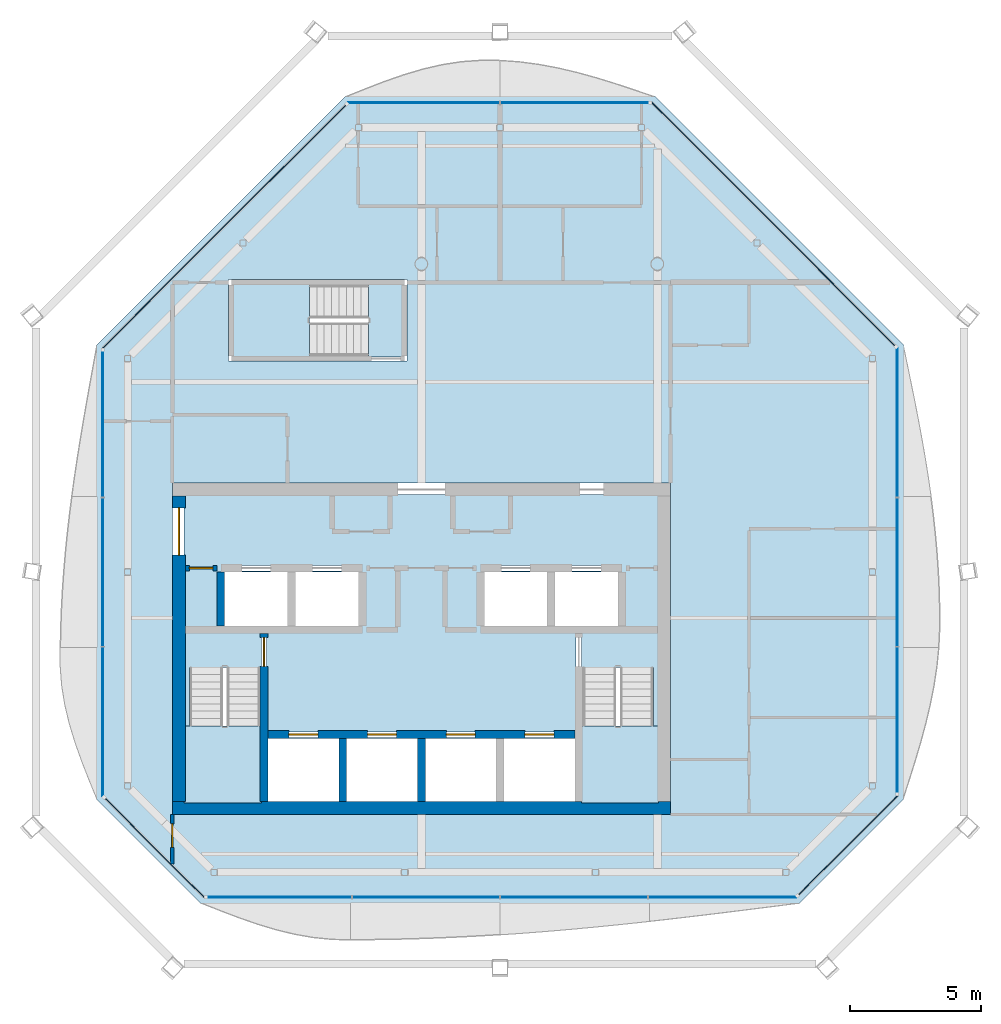
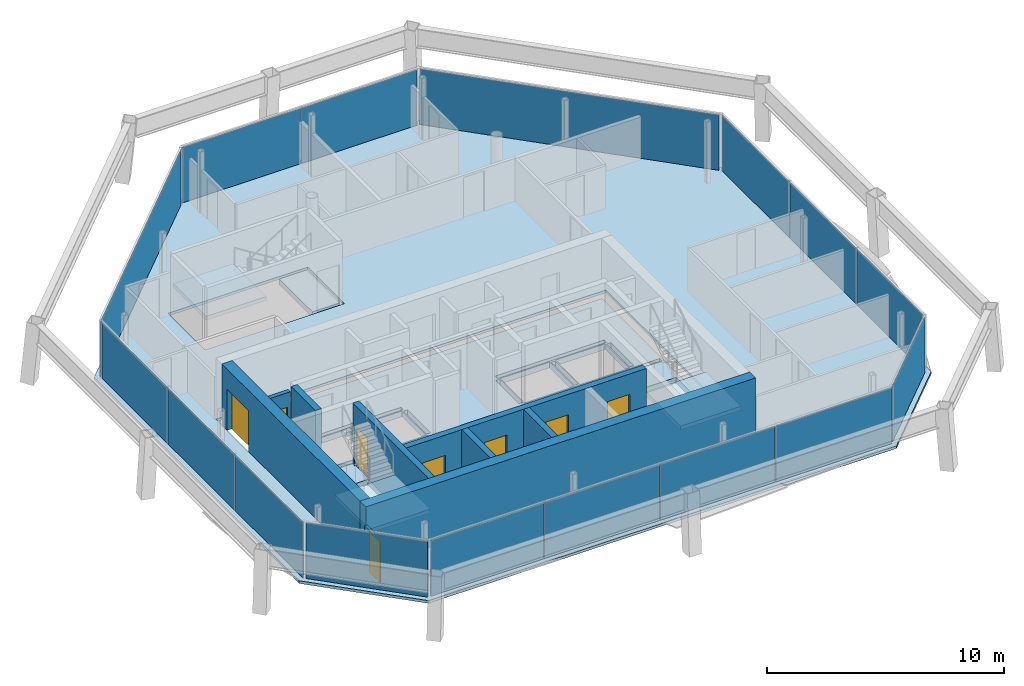
# One storey, part 9 of 14: 16 plates, 9 walls, 8 doors, 6 slabs, 8 openings, 11 elements without a shape of their own.
"""IFC4 building model written with IfcOpenShell, lengths in metres."""

from ifc_helpers import new_model, si_unit, direction, frame, frame_2d, origin, origin_2d, place, context, subcontext, project, spatial, polyline, rectangle, outline, extrude, material, layer, layer_set, type_object, element, fill, aggregate, save


model = new_model("IFC4")

# Units and contexts
model_context = context("Model", 3, precision=1e-05, world=origin(), true_north=direction((0.0, 1.0)))
body_context = subcontext(model_context, "Body", "Model", "MODEL_VIEW")
ifc_project = project(units=[si_unit("LENGTHUNIT", "METRE"), si_unit("AREAUNIT", "SQUARE_METRE"), si_unit("VOLUMEUNIT", "CUBIC_METRE"), si_unit("PLANEANGLEUNIT", "RADIAN"), si_unit("MASSUNIT", "GRAM", prefix="KILO")], contexts=[model_context])

# Site, building, storey
site_placement = place(None, origin())
site = spatial("IfcSite", under=ifc_project, at=site_placement, CompositionType="ELEMENT")
building_placement = place(site_placement, origin())
building = spatial("IfcBuilding", under=site, at=building_placement, Name="Tskaro Facet Tower", CompositionType="ELEMENT")
storey_placement = place(building_placement, frame((0.0, 0.0, 294.14990234375)))
storey = spatial("IfcBuildingStorey", under=building, at=storey_placement, Name="L79", CompositionType="ELEMENT", Elevation=294.14990234375)

# Slab
ifc_material_1 = material(Name="Concrete C30/37", Category="concrete")
ifc_layer_1 = layer(ifc_material_1, 0.139892578125, Name="Concrete C30/37")
ifc_layer_set_1 = layer_set([ifc_layer_1], Name="Concrete C30/37")
slab_type_1 = type_object("IfcSlabType", Name="Composite deck floor slab", PredefinedType="FLOOR", material=ifc_layer_set_1)
slab_1_placement = place(storey_placement, frame((0.0, 0.0, -0.139892578125)))
element("IfcSlab", 1, at=slab_1_placement, inside=storey, type_object=slab_type_1, Name="Floor slab FS3 L79", PredefinedType="FLOOR", context=body_context, shape_type="SweptSolid", body=[
    extrude(outline(polyline([(-8.39990234375, -15.39990234375), (14.39990234375, -15.39990234375), (18.39990234375, -11.39990234375), (18.39990234375, 5.89990234375), (8.89990234375, 15.39990234375), (-2.89990234375, 15.39990234375), (-12.39990234375, 5.89990234375), (-12.39990234375, -11.39990234375), (-8.39990234375, -15.39990234375)]), holes=[polyline([(-9.5, -12.0), (9.5, -12.0), (9.5, 0.64990234375), (-9.5, 0.64990234375), (-9.5, -12.0)]), polyline([(-7.35009765625, 5.300048828125), (-0.550048828125, 5.300048828125), (-0.550048828125, 8.39990234375), (-7.35009765625, 8.39990234375), (-7.35009765625, 5.300048828125)])]), origin(), (0.0, 0.0, 1.0), 0.139892578125),
])

# Curtain wall, plates
ifc_material_2 = material(Name="Bronze anodised aluminium 6063-T6", Category="aluminium")
curtain_wall_type = type_object("IfcCurtainWallType", Name="Bronze residence curtain wall (FW3)", PredefinedType="NOTDEFINED", material=ifc_material_2)
curtain_wall_1_placement = place(storey_placement, origin())
curtain_wall_1 = element("IfcCurtainWall", 2, at=curtain_wall_1_placement, inside=storey, type_object=curtain_wall_type, Name="FW3 south facet L79", PredefinedType="NOTDEFINED")
ifc_material_3 = material(Name="Bronze low-iron glass", Category="glass")
ifc_layer_2 = layer(ifc_material_3, 0.028076171875, Name="Bronze low-iron glass")
ifc_layer_set_2 = layer_set([ifc_layer_2], Name="Bronze low-iron glass")
plate_type = type_object("IfcPlateType", Name="FW3 bronze-tinted unit glazing 28", PredefinedType="CURTAIN_PANEL", material=ifc_layer_set_2)
plate_1_placement = place(storey_placement, frame((-5.41455078125, -15.14990234375, 0.0), z_axis=(0.0, 0.0, 1.0), x_axis=(1.0, 0.0, 0.0)))
plate_1 = element("IfcPlate", 3, at=plate_1_placement, type_object=plate_type, Name="FW3 south glazing 1.1", PredefinedType="CURTAIN_PANEL", context=body_context, shape_type="SweptSolid", body=[
    extrude(rectangle(XDim=5.48291015625, YDim=0.028076171875, at=origin_2d()), origin(), (0.0, 0.0, 1.0), 2.860107421875),
])
plate_2_placement = place(storey_placement, frame((0.176025390625, -15.14990234375, 0.0), z_axis=(0.0, 0.0, 1.0), x_axis=(1.0, 0.0, 0.0)))
plate_2 = element("IfcPlate", 4, at=plate_2_placement, type_object=plate_type, Name="FW3 south glazing 2.1", PredefinedType="CURTAIN_PANEL", context=body_context, shape_type="SweptSolid", body=[
    extrude(rectangle(XDim=5.597900390625, YDim=0.028076171875, at=origin_2d()), origin(), (0.0, 0.0, 1.0), 2.860107421875),
])
plate_3_placement = place(storey_placement, frame((5.823974609375, -15.14990234375, 0.0), z_axis=(0.0, 0.0, 1.0), x_axis=(1.0, 0.0, 0.0)))
plate_3 = element("IfcPlate", 5, at=plate_3_placement, type_object=plate_type, Name="FW3 south glazing 3.1", PredefinedType="CURTAIN_PANEL", context=body_context, shape_type="SweptSolid", body=[
    extrude(rectangle(XDim=5.597900390625, YDim=0.028076171875, at=origin_2d()), origin(), (0.0, 0.0, 1.0), 2.860107421875),
])
plate_4_placement = place(storey_placement, frame((11.484619140625, -15.14990234375, 0.0), z_axis=(0.0, 0.0, 1.0), x_axis=(1.0, 0.0, 0.0)))
plate_4 = element("IfcPlate", 6, at=plate_4_placement, type_object=plate_type, Name="FW3 south glazing 4.1", PredefinedType="CURTAIN_PANEL", context=body_context, shape_type="SweptSolid", body=[
    extrude(rectangle(XDim=5.623046875, YDim=0.028076171875, at=origin_2d()), origin(), (0.0, 0.0, 1.0), 2.860107421875),
])
aggregate(curtain_wall_1, [plate_1, plate_2, plate_3, plate_4])

# Curtain wall, plate
curtain_wall_2_placement = place(storey_placement, origin())
curtain_wall_2 = element("IfcCurtainWall", 7, at=curtain_wall_2_placement, inside=storey, type_object=curtain_wall_type, Name="FW3 south-east facet L79", PredefinedType="NOTDEFINED")
plate_5_placement = place(storey_placement, frame((16.2724609375, -13.173583984375, 0.0), z_axis=(0.0, 0.0, 1.0), x_axis=(0.707106781187, 0.707106781187, 0.0)))
plate_5 = element("IfcPlate", 8, at=plate_5_placement, type_object=plate_type, Name="FW3 south-east glazing 1.1", PredefinedType="CURTAIN_PANEL", context=body_context, shape_type="SweptSolid", body=[
    extrude(rectangle(XDim=5.310302734375, YDim=0.028076171875, at=origin_2d()), origin(), (0.0, 0.0, 1.0), 2.860107421875),
])
aggregate(curtain_wall_2, [plate_5])

# Curtain wall, plates
curtain_wall_3_placement = place(storey_placement, origin())
curtain_wall_3 = element("IfcCurtainWall", 9, at=curtain_wall_3_placement, inside=storey, type_object=curtain_wall_type, Name="FW3 east facet L79", PredefinedType="NOTDEFINED")
plate_6_placement = place(storey_placement, frame((18.14990234375, -8.389892578125, 0.0), z_axis=(0.0, 0.0, 1.0), x_axis=(0.0, 1.0, 0.0)))
plate_6 = element("IfcPlate", 10, at=plate_6_placement, type_object=plate_type, Name="FW3 east glazing 1.1", PredefinedType="CURTAIN_PANEL", context=body_context, shape_type="SweptSolid", body=[
    extrude(rectangle(XDim=5.5322265625, YDim=0.028076171875, at=origin_2d()), origin(), (0.0, 0.0, 1.0), 2.860107421875),
])
plate_7_placement = place(storey_placement, frame((18.14990234375, -2.75, 0.0), z_axis=(0.0, 0.0, 1.0), x_axis=(0.0, 1.0, 0.0)))
plate_7 = element("IfcPlate", 11, at=plate_7_placement, type_object=plate_type, Name="FW3 east glazing 2.1", PredefinedType="CURTAIN_PANEL", context=body_context, shape_type="SweptSolid", body=[
    extrude(rectangle(XDim=5.647216796875, YDim=0.028076171875, at=origin_2d()), origin(), (0.0, 0.0, 1.0), 2.860107421875),
])
plate_8_placement = place(storey_placement, frame((18.14990234375, 2.959716796875, 0.0), z_axis=(0.0, 0.0, 1.0), x_axis=(0.0, 1.0, 0.0)))
plate_8 = element("IfcPlate", 12, at=plate_8_placement, type_object=plate_type, Name="FW3 east glazing 3.1", PredefinedType="CURTAIN_PANEL", context=body_context, shape_type="SweptSolid", body=[
    extrude(rectangle(XDim=5.67236328125, YDim=0.028076171875, at=origin_2d()), origin(), (0.0, 0.0, 1.0), 2.860107421875),
])
aggregate(curtain_wall_3, [plate_6, plate_7, plate_8])

# Curtain wall, plate
curtain_wall_4_placement = place(storey_placement, origin())
curtain_wall_4 = element("IfcCurtainWall", 13, at=curtain_wall_4_placement, inside=storey, type_object=curtain_wall_type, Name="FW3 north-east facet L79", PredefinedType="NOTDEFINED")
plate_9_placement = place(storey_placement, frame((13.423583984375, 10.5224609375, 0.0), z_axis=(0.0, 0.0, 1.0), x_axis=(-0.707106781187, 0.707106781187, 0.0)))
plate_9 = element("IfcPlate", 14, at=plate_9_placement, type_object=plate_type, Name="FW3 north-east glazing 1.1", PredefinedType="CURTAIN_PANEL", context=body_context, shape_type="SweptSolid", body=[
    extrude(rectangle(XDim=13.088623046875, YDim=0.028076171875, at=origin_2d()), origin(), (0.0, 0.0, 1.0), 2.860107421875),
])
aggregate(curtain_wall_4, [plate_9])

# Curtain wall, plates
curtain_wall_5_placement = place(storey_placement, origin())
curtain_wall_5 = element("IfcCurtainWall", 15, at=curtain_wall_5_placement, inside=storey, type_object=curtain_wall_type, Name="FW3 north facet L79", PredefinedType="NOTDEFINED")
plate_10_placement = place(storey_placement, frame((5.840576171875, 15.14990234375, 0.0), z_axis=(0.0, 0.0, 1.0), x_axis=(-1.0, 0.0, 0.0)))
plate_10 = element("IfcPlate", 16, at=plate_10_placement, type_object=plate_type, Name="FW3 north glazing 1.1", PredefinedType="CURTAIN_PANEL", context=body_context, shape_type="SweptSolid", body=[
    extrude(rectangle(XDim=5.631103515625, YDim=0.028076171875, at=origin_2d()), origin(), (0.0, 0.0, 1.0), 2.860107421875),
])
plate_11_placement = place(storey_placement, frame((0.089599609375, 15.14990234375, 0.0), z_axis=(0.0, 0.0, 1.0), x_axis=(-1.0, 0.0, 0.0)))
plate_11 = element("IfcPlate", 17, at=plate_11_placement, type_object=plate_type, Name="FW3 north glazing 2.1", PredefinedType="CURTAIN_PANEL", context=body_context, shape_type="SweptSolid", body=[
    extrude(rectangle(XDim=5.77099609375, YDim=0.028076171875, at=origin_2d()), origin(), (0.0, 0.0, 1.0), 2.860107421875),
])
aggregate(curtain_wall_5, [plate_10, plate_11])

# Curtain wall, plate
curtain_wall_6_placement = place(storey_placement, origin())
curtain_wall_6 = element("IfcCurtainWall", 18, at=curtain_wall_6_placement, inside=storey, type_object=curtain_wall_type, Name="FW3 north-west facet L79", PredefinedType="NOTDEFINED")
plate_12_placement = place(storey_placement, frame((-7.5224609375, 10.423583984375, 0.0), z_axis=(0.0, 0.0, 1.0), x_axis=(-0.707106781187, -0.707106781187, 0.0)))
plate_12 = element("IfcPlate", 19, at=plate_12_placement, type_object=plate_type, Name="FW3 north-west glazing 1.1", PredefinedType="CURTAIN_PANEL", context=body_context, shape_type="SweptSolid", body=[
    extrude(rectangle(XDim=13.088623046875, YDim=0.028076171875, at=origin_2d()), origin(), (0.0, 0.0, 1.0), 2.860107421875),
])
aggregate(curtain_wall_6, [plate_12])

# Curtain wall, plates
curtain_wall_7_placement = place(storey_placement, origin())
curtain_wall_7 = element("IfcCurtainWall", 20, at=curtain_wall_7_placement, inside=storey, type_object=curtain_wall_type, Name="FW3 west facet L79", PredefinedType="NOTDEFINED")
plate_13_placement = place(storey_placement, frame((-12.14990234375, 2.889892578125, 0.0), z_axis=(0.0, 0.0, 1.0), x_axis=(0.0, -1.0, 0.0)))
plate_13 = element("IfcPlate", 21, at=plate_13_placement, type_object=plate_type, Name="FW3 west glazing 1.1", PredefinedType="CURTAIN_PANEL", context=body_context, shape_type="SweptSolid", body=[
    extrude(rectangle(XDim=5.5322265625, YDim=0.028076171875, at=origin_2d()), origin(), (0.0, 0.0, 1.0), 2.860107421875),
])
plate_14_placement = place(storey_placement, frame((-12.14990234375, -2.75, 0.0), z_axis=(0.0, 0.0, 1.0), x_axis=(0.0, -1.0, 0.0)))
plate_14 = element("IfcPlate", 22, at=plate_14_placement, type_object=plate_type, Name="FW3 west glazing 2.1", PredefinedType="CURTAIN_PANEL", context=body_context, shape_type="SweptSolid", body=[
    extrude(rectangle(XDim=5.647216796875, YDim=0.028076171875, at=origin_2d()), origin(), (0.0, 0.0, 1.0), 2.860107421875),
])
plate_15_placement = place(storey_placement, frame((-12.14990234375, -8.459716796875, 0.0), z_axis=(0.0, 0.0, 1.0), x_axis=(0.0, -1.0, 0.0)))
plate_15 = element("IfcPlate", 23, at=plate_15_placement, type_object=plate_type, Name="FW3 west glazing 3.1", PredefinedType="CURTAIN_PANEL", context=body_context, shape_type="SweptSolid", body=[
    extrude(rectangle(XDim=5.67236328125, YDim=0.028076171875, at=origin_2d()), origin(), (0.0, 0.0, 1.0), 2.860107421875),
])
aggregate(curtain_wall_7, [plate_13, plate_14, plate_15])

# Curtain wall, plate
curtain_wall_8_placement = place(storey_placement, origin())
curtain_wall_8 = element("IfcCurtainWall", 24, at=curtain_wall_8_placement, inside=storey, type_object=curtain_wall_type, Name="FW3 south-west facet L79", PredefinedType="NOTDEFINED")
plate_16_placement = place(storey_placement, frame((-10.173583984375, -13.2724609375, 0.0), z_axis=(0.0, 0.0, 1.0), x_axis=(0.707106781187, -0.707106781187, 0.0)))
plate_16 = element("IfcPlate", 25, at=plate_16_placement, type_object=plate_type, Name="FW3 south-west glazing 1.1", PredefinedType="CURTAIN_PANEL", context=body_context, shape_type="SweptSolid", body=[
    extrude(rectangle(XDim=5.310302734375, YDim=0.028076171875, at=origin_2d()), origin(), (0.0, 0.0, 1.0), 2.860107421875),
])
aggregate(curtain_wall_8, [plate_16])

# Stair, slab
ifc_material_4 = material(Name="Concrete C40/50", Category="concrete")
stair_type = type_object("IfcStairType", Name="ST-TWR", PredefinedType="HALF_TURN_STAIR", material=ifc_material_4)
stair_1_placement = place(storey_placement, origin())
stair_1 = element("IfcStair", 26, at=stair_1_placement, inside=storey, type_object=stair_type, Name="L79 Exit stair 1", PredefinedType="HALF_TURN_STAIR")
ifc_layer_3 = layer(ifc_material_4, 0.199951171875, Name="Concrete C40/50")
ifc_layer_set_3 = layer_set([ifc_layer_3], Name="Concrete C40/50")
slab_type_2 = type_object("IfcSlabType", Name="SL-LANDING", PredefinedType="LANDING", material=ifc_layer_set_3)
slab_2_placement = place(storey_placement, frame((0.0, 0.0, 1.375)))
slab_2 = element("IfcSlab", 27, at=slab_2_placement, type_object=slab_type_2, Name="ST-1 landing 1", PredefinedType="LANDING", context=body_context, shape_type="SweptSolid", body=[
    extrude(outline(polyline([(-9.050048828125, -11.550048828125), (-6.10009765625, -11.550048828125), (-6.10009765625, -8.614990234375), (-9.050048828125, -8.614990234375), (-9.050048828125, -11.550048828125)])), origin(), (0.0, 0.0, 1.0), 0.2001953125),
])
aggregate(stair_1, [slab_2])

stair_2_placement = place(storey_placement, origin())
stair_2 = element("IfcStair", 28, at=stair_2_placement, inside=storey, type_object=stair_type, Name="L79 Exit stair 2", PredefinedType="HALF_TURN_STAIR")
slab_3_placement = place(storey_placement, frame((0.0, 0.0, 1.375)))
slab_3 = element("IfcSlab", 29, at=slab_3_placement, type_object=slab_type_2, Name="ST-2 landing 1", PredefinedType="LANDING", context=body_context, shape_type="SweptSolid", body=[
    extrude(outline(polyline([(6.10009765625, -11.550048828125), (9.050048828125, -11.550048828125), (9.050048828125, -8.614990234375), (6.10009765625, -8.614990234375), (6.10009765625, -11.550048828125)])), origin(), (0.0, 0.0, 1.0), 0.2001953125),
])
aggregate(stair_2, [slab_3])

stair_3_placement = place(storey_placement, origin())
stair_3 = element("IfcStair", 30, at=stair_3_placement, inside=storey, type_object=stair_type, Name="L79 Exit stair 3", PredefinedType="HALF_TURN_STAIR")
slab_4_placement = place(storey_placement, frame((0.0, 0.0, 1.375)))
slab_4 = element("IfcSlab", 31, at=slab_4_placement, type_object=slab_type_2, Name="ST-3 landing 1", PredefinedType="LANDING", context=body_context, shape_type="SweptSolid", body=[
    extrude(outline(polyline([(-7.199951171875, 5.449951171875), (-4.264892578125, 5.449951171875), (-4.264892578125, 8.25), (-7.199951171875, 8.25), (-7.199951171875, 5.449951171875)])), origin(), (0.0, 0.0, 1.0), 0.2001953125),
])
aggregate(stair_3, [slab_4])

# Slabs
ifc_material_5 = material(Name="Concrete C60/75", Category="concrete")
ifc_layer_4 = layer(ifc_material_5, 0.300048828125, Name="Concrete C60/75")
ifc_layer_set_4 = layer_set([ifc_layer_4], Name="Concrete C60/75")
slab_type_3 = type_object("IfcSlabType", Name="SLAB-CORE", PredefinedType="FLOOR", material=ifc_layer_set_4)
slab_5_placement = place(storey_placement, frame((0.0, 0.0, -0.2998046875)))
element("IfcSlab", 32, at=slab_5_placement, inside=storey, type_object=slab_type_3, Name="Core floor slab 1", PredefinedType="FLOOR", context=body_context, shape_type="SweptSolid", body=[
    extrude(outline(polyline([(-9.050048828125, 0.199951171875), (9.050048828125, 0.199951171875), (9.050048828125, 0.10009765625), (9.050048828125, -11.449951171875), (9.050048828125, -11.550048828125), (-9.050048828125, -11.550048828125), (-9.050048828125, -11.449951171875), (-9.050048828125, 0.10009765625), (-9.050048828125, 0.199951171875)]), holes=[polyline([(-5.85009765625, -9.10009765625), (-5.85009765625, -11.5), (-3.14990234375, -11.5), (-3.14990234375, -9.10009765625), (-5.85009765625, -9.10009765625)]), polyline([(-3.10009765625, -11.449951171875), (-2.89990234375, -11.449951171875), (-2.89990234375, -9.14990234375), (-3.10009765625, -9.14990234375), (-3.10009765625, -11.449951171875)]), polyline([(-2.85009765625, -9.10009765625), (-2.85009765625, -11.5), (-0.14990234375, -11.5), (-0.14990234375, -9.10009765625), (-2.85009765625, -9.10009765625)]), polyline([(-6.10009765625, -11.449951171875), (-5.89990234375, -11.449951171875), (-5.89990234375, -5.14990234375), (-6.10009765625, -5.14990234375), (-6.10009765625, -11.449951171875)]), polyline([(-8.949951171875, -5.050048828125), (-2.300048828125, -5.050048828125), (-2.300048828125, -4.85009765625), (-8.949951171875, -4.85009765625), (-8.949951171875, -5.050048828125)]), polyline([(-7.75, -4.75), (-7.550048828125, -4.75), (-7.550048828125, -2.800048828125), (-7.75, -2.800048828125), (-7.75, -4.75)]), polyline([(-7.5, -4.800048828125), (-5.10009765625, -4.800048828125), (-5.10009765625, -2.75), (-7.5, -2.75), (-7.5, -4.800048828125)]), polyline([(-5.050048828125, -4.75), (-4.85009765625, -4.75), (-4.85009765625, -2.800048828125), (-5.050048828125, -2.800048828125), (-5.050048828125, -4.75)]), polyline([(-2.39990234375, -2.75), (-4.800048828125, -2.75), (-4.800048828125, -4.800048828125), (-2.39990234375, -4.800048828125), (-2.39990234375, -2.75)]), polyline([(-2.35009765625, -4.75), (-2.14990234375, -4.75), (-2.14990234375, -2.800048828125), (-2.35009765625, -2.800048828125), (-2.35009765625, -4.75)]), polyline([(-7.60009765625, -2.699951171875), (-2.300048828125, -2.699951171875), (-2.300048828125, -2.5), (-7.60009765625, -2.5), (-7.60009765625, -2.699951171875)]), polyline([(-0.10009765625, -11.449951171875), (0.10009765625, -11.449951171875), (0.10009765625, -9.14990234375), (-0.10009765625, -9.14990234375), (-0.10009765625, -11.449951171875)]), polyline([(0.14990234375, -9.10009765625), (0.14990234375, -11.5), (2.85009765625, -11.5), (2.85009765625, -9.10009765625), (0.14990234375, -9.10009765625)]), polyline([(2.89990234375, -11.449951171875), (3.10009765625, -11.449951171875), (3.10009765625, -9.14990234375), (2.89990234375, -9.14990234375), (2.89990234375, -11.449951171875)]), polyline([(3.14990234375, -9.10009765625), (3.14990234375, -11.5), (5.85009765625, -11.5), (5.85009765625, -9.10009765625), (3.14990234375, -9.10009765625)]), polyline([(-5.800048828125, -9.050048828125), (5.800048828125, -9.050048828125), (5.800048828125, -8.85009765625), (-5.800048828125, -8.85009765625), (-5.800048828125, -9.050048828125)]), polyline([(5.89990234375, -11.449951171875), (6.10009765625, -11.449951171875), (6.10009765625, -5.14990234375), (5.89990234375, -5.14990234375), (5.89990234375, -11.449951171875)]), polyline([(2.300048828125, -5.050048828125), (8.949951171875, -5.050048828125), (8.949951171875, -4.85009765625), (2.300048828125, -4.85009765625), (2.300048828125, -5.050048828125)]), polyline([(2.14990234375, -4.75), (2.35009765625, -4.75), (2.35009765625, -2.800048828125), (2.14990234375, -2.800048828125), (2.14990234375, -4.75)]), polyline([(4.800048828125, -2.75), (2.39990234375, -2.75), (2.39990234375, -4.800048828125), (4.800048828125, -4.800048828125), (4.800048828125, -2.75)]), polyline([(4.85009765625, -4.75), (5.050048828125, -4.75), (5.050048828125, -2.800048828125), (4.85009765625, -2.800048828125), (4.85009765625, -4.75)]), polyline([(7.5, -2.75), (5.10009765625, -2.75), (5.10009765625, -4.800048828125), (7.5, -4.800048828125), (7.5, -2.75)]), polyline([(7.550048828125, -4.75), (7.75, -4.75), (7.75, -2.800048828125), (7.550048828125, -2.800048828125), (7.550048828125, -4.75)]), polyline([(2.300048828125, -2.699951171875), (7.60009765625, -2.699951171875), (7.60009765625, -2.5), (2.300048828125, -2.5), (2.300048828125, -2.699951171875)]), polyline([(-8.85009765625, -11.5), (-6.14990234375, -11.5), (-6.14990234375, -6.39501953125), (-8.85009765625, -6.39501953125), (-8.85009765625, -11.5)]), polyline([(6.14990234375, -6.39501953125), (6.14990234375, -11.5), (8.85009765625, -11.5), (8.85009765625, -6.39501953125), (6.14990234375, -6.39501953125)])]), origin(), (0.0, 0.0, 1.0), 0.2998046875),
])
slab_6_placement = place(storey_placement, frame((0.0, 0.0, -0.2998046875)))
element("IfcSlab", 33, at=slab_6_placement, inside=storey, type_object=slab_type_3, Name="Stair 3 floor landing 1", PredefinedType="FLOOR", context=body_context, shape_type="SweptSolid", body=[
    extrude(outline(polyline([(-2.02490234375, 5.449951171875), (-0.699951171875, 5.449951171875), (-0.699951171875, 8.25), (-2.02490234375, 8.25), (-2.02490234375, 5.449951171875)])), origin(), (0.0, 0.0, 1.0), 0.2998046875),
])

# Wall, openings, doors
ifc_layer_5 = layer(ifc_material_5, 0.300048828125, Name="Concrete C60/75")
ifc_layer_set_5 = layer_set([ifc_layer_5], Name="Concrete C60/75")
wall_type_1 = type_object("IfcWallType", Name="CORE-SHAFT", PredefinedType="SHEAR", material=ifc_layer_set_5)
wall_1_placement = place(storey_placement, frame((-5.85009765625, -8.949951171875, 0.0), z_axis=(0.0, 0.0, 1.0), x_axis=(1.0, 0.0, 0.0)))
wall_1 = element("IfcWall", 34, at=wall_1_placement, inside=storey, type_object=wall_type_1, Name="Shaft wall W003", PredefinedType="SHEAR", context=body_context, shape_type="SweptSolid", body=[
    extrude(rectangle(XDim=11.7001953125, YDim=0.300048828125, at=frame_2d((5.85009765625, 0.0))), origin(), (0.0, 0.0, 1.0), 3.150146484375),
])
opening_1_placement = place(wall_1_placement, frame((0.800048828125, 0.0, 0.0)))
opening_1 = element("IfcOpeningElement", 35, at=opening_1_placement, cuts=wall_1, Name="Opening LD-FF1", PredefinedType="OPENING", context=body_context, shape_type="SweptSolid", body=[
    extrude(rectangle(XDim=1.10009765625, YDim=2.10009765625, at=frame_2d((0.550048828125, 1.050048828125))), frame((0.0, 0.159912109375, 0.0), z_axis=(0.0, -1.0, 0.0), x_axis=(1.0, 0.0, 0.0)), (0.0, 0.0, 1.0), 0.320068359375),
])
opening_2_placement = place(wall_1_placement, frame((3.800048828125, 0.0, 0.0)))
opening_2 = element("IfcOpeningElement", 36, at=opening_2_placement, cuts=wall_1, Name="Opening LD-FF2", PredefinedType="OPENING", context=body_context, shape_type="SweptSolid", body=[
    extrude(rectangle(XDim=1.10009765625, YDim=2.10009765625, at=frame_2d((0.550048828125, 1.050048828125))), frame((0.0, 0.159912109375, 0.0), z_axis=(0.0, -1.0, 0.0), x_axis=(1.0, 0.0, 0.0)), (0.0, 0.0, 1.0), 0.320068359375),
])
opening_3_placement = place(wall_1_placement, frame((6.800048828125, 0.0, 0.0)))
opening_3 = element("IfcOpeningElement", 37, at=opening_3_placement, cuts=wall_1, Name="Opening LD-SV1", PredefinedType="OPENING", context=body_context, shape_type="SweptSolid", body=[
    extrude(rectangle(XDim=1.10009765625, YDim=2.10009765625, at=frame_2d((0.550048828125, 1.050048828125))), frame((0.0, 0.159912109375, 0.0), z_axis=(0.0, -1.0, 0.0), x_axis=(1.0, 0.0, 0.0)), (0.0, 0.0, 1.0), 0.320068359375),
])
opening_4_placement = place(wall_1_placement, frame((9.800048828125, 0.0, 0.0)))
opening_4 = element("IfcOpeningElement", 38, at=opening_4_placement, cuts=wall_1, Name="Opening LD-SV2", PredefinedType="OPENING", context=body_context, shape_type="SweptSolid", body=[
    extrude(rectangle(XDim=1.10009765625, YDim=2.10009765625, at=frame_2d((0.550048828125, 1.050048828125))), frame((0.0, 0.159912109375, 0.0), z_axis=(0.0, -1.0, 0.0), x_axis=(1.0, 0.0, 0.0)), (0.0, 0.0, 1.0), 0.320068359375),
])
ifc_material_6 = material(Name="Stainless steel", Category="steel")
door_type_1 = type_object("IfcDoorType", Name="D-LANDING", OperationType="NOTDEFINED", PredefinedType="DOOR", material=ifc_material_6)
door_1_placement = place(opening_1_placement, origin())
door_1 = element("IfcDoor", 39, at=door_1_placement, inside=storey, type_object=door_type_1, Name="Landing door FF1", OperationType="DOUBLE_DOOR_SLIDING", OverallHeight=2.10009765625, OverallWidth=1.10009765625, PredefinedType="DOOR", context=body_context, shape_type="SweptSolid", body=[
    extrude(rectangle(XDim=1.10009765625, YDim=2.10009765625, at=frame_2d((0.550048828125, 1.050048828125))), frame((0.0, 0.02490234375, 0.0), z_axis=(0.0, -1.0, 0.0), x_axis=(1.0, 0.0, 0.0)), (0.0, 0.0, 1.0), 0.050048828125),
])
fill(opening_1, door_1)
door_2_placement = place(opening_2_placement, origin())
door_2 = element("IfcDoor", 40, at=door_2_placement, inside=storey, type_object=door_type_1, Name="Landing door FF2", OperationType="DOUBLE_DOOR_SLIDING", OverallHeight=2.10009765625, OverallWidth=1.10009765625, PredefinedType="DOOR", context=body_context, shape_type="SweptSolid", body=[
    extrude(rectangle(XDim=1.10009765625, YDim=2.10009765625, at=frame_2d((0.550048828125, 1.050048828125))), frame((0.0, 0.02490234375, 0.0), z_axis=(0.0, -1.0, 0.0), x_axis=(1.0, 0.0, 0.0)), (0.0, 0.0, 1.0), 0.050048828125),
])
fill(opening_2, door_2)
door_3_placement = place(opening_3_placement, origin())
door_3 = element("IfcDoor", 41, at=door_3_placement, inside=storey, type_object=door_type_1, Name="Landing door SV1", OperationType="DOUBLE_DOOR_SLIDING", OverallHeight=2.10009765625, OverallWidth=1.10009765625, PredefinedType="DOOR", context=body_context, shape_type="SweptSolid", body=[
    extrude(rectangle(XDim=1.10009765625, YDim=2.10009765625, at=frame_2d((0.550048828125, 1.050048828125))), frame((0.0, 0.02490234375, 0.0), z_axis=(0.0, -1.0, 0.0), x_axis=(1.0, 0.0, 0.0)), (0.0, 0.0, 1.0), 0.050048828125),
])
fill(opening_3, door_3)
door_4_placement = place(opening_4_placement, origin())
door_4 = element("IfcDoor", 42, at=door_4_placement, inside=storey, type_object=door_type_1, Name="Landing door SV2", OperationType="DOUBLE_DOOR_SLIDING", OverallHeight=2.10009765625, OverallWidth=1.10009765625, PredefinedType="DOOR", context=body_context, shape_type="SweptSolid", body=[
    extrude(rectangle(XDim=1.10009765625, YDim=2.10009765625, at=frame_2d((0.550048828125, 1.050048828125))), frame((0.0, 0.02490234375, 0.0), z_axis=(0.0, -1.0, 0.0), x_axis=(1.0, 0.0, 0.0)), (0.0, 0.0, 1.0), 0.050048828125),
])
fill(opening_4, door_4)

# Wall
wall_2_placement = place(storey_placement, frame((-7.64990234375, -4.800048828125, 0.0), z_axis=(0.0, 0.0, 1.0), x_axis=(0.0, 1.0, 0.0)))
element("IfcWall", 43, at=wall_2_placement, inside=storey, type_object=wall_type_1, Name="Shaft wall W030", PredefinedType="SHEAR", context=body_context, shape_type="SweptSolid", body=[
    extrude(rectangle(XDim=2.050048828125, YDim=0.300048828125, at=frame_2d((1.02490234375, 0.0))), origin(), (0.0, 0.0, 1.0), 3.150146484375),
])

# Wall, opening, door
wall_3_placement = place(storey_placement, frame((-6.0, -11.5, 0.0), z_axis=(0.0, 0.0, 1.0), x_axis=(0.0, 1.0, 0.0)))
wall_3 = element("IfcWall", 44, at=wall_3_placement, inside=storey, type_object=wall_type_1, Name="Shaft wall W032", PredefinedType="SHEAR", context=body_context, shape_type="SweptSolid", body=[
    extrude(rectangle(XDim=6.39990234375, YDim=0.300048828125, at=frame_2d((3.199951171875, 0.0))), origin(), (0.0, 0.0, 1.0), 3.150146484375),
])
opening_5_placement = place(wall_3_placement, frame((5.14990234375, 0.0, 0.0)))
opening_5 = element("IfcOpeningElement", 45, at=opening_5_placement, cuts=wall_3, Name="Opening ST-1-D1", PredefinedType="OPENING", context=body_context, shape_type="SweptSolid", body=[
    extrude(rectangle(XDim=1.10009765625, YDim=2.10009765625, at=frame_2d((0.550048828125, 1.050048828125))), frame((0.0, 0.159912109375, 0.0), z_axis=(0.0, -1.0, 0.0), x_axis=(1.0, 0.0, 0.0)), (0.0, 0.0, 1.0), 0.320068359375),
])
ifc_material_7 = material(Name="Steel", Category="steel")
door_type_2 = type_object("IfcDoorType", Name="D-STAIR", OperationType="NOTDEFINED", PredefinedType="DOOR", material=ifc_material_7)
door_5_placement = place(opening_5_placement, origin())
door_5 = element("IfcDoor", 46, at=door_5_placement, inside=storey, type_object=door_type_2, Name="Stair door 1", OperationType="SINGLE_SWING_LEFT", OverallHeight=2.10009765625, OverallWidth=1.10009765625, PredefinedType="DOOR", context=body_context, shape_type="SweptSolid", body=[
    extrude(rectangle(XDim=1.10009765625, YDim=2.10009765625, at=frame_2d((0.550048828125, 1.050048828125))), frame((0.0, 0.02490234375, 0.0), z_axis=(0.0, -1.0, 0.0), x_axis=(1.0, 0.0, 0.0)), (0.0, 0.0, 1.0), 0.050048828125),
])
fill(opening_5, door_5)

# Walls
for number, where, z_axis, x_axis, name in (
    (47, (-3.0, -11.5, 0.0), (0.0, 0.0, 1.0), (0.0, 1.0, 0.0), "Shaft wall W036"),
    (48, (0.0, -11.5, 0.0), (0.0, 0.0, 1.0), (0.0, 1.0, 0.0), "Shaft wall W043"),
):
    element("IfcWall", number, at=place(storey_placement, frame(where, z_axis=z_axis, x_axis=x_axis)), inside=storey, type_object=wall_type_1, Name=name, PredefinedType="SHEAR", context=body_context, shape_type="SweptSolid", body=[
        extrude(rectangle(XDim=2.39990234375, YDim=0.300048828125, at=frame_2d((1.199951171875, 0.0))), origin(), (0.0, 0.0, 1.0), 3.150146484375),
    ])

# Wall, opening, door
ifc_material_8 = material(Name="Concrete C20/25", Category="concrete")
ifc_layer_6 = layer(ifc_material_8, 0.199951171875, Name="Concrete C20/25")
ifc_layer_set_6 = layer_set([ifc_layer_6], Name="Concrete C20/25")
wall_type_2 = type_object("IfcWallType", Name="CORE-WALL", PredefinedType="SOLIDWALL", material=ifc_layer_set_6)
wall_4_placement = place(storey_placement, frame((-7.800048828125, -2.60009765625, 0.0), z_axis=(0.0, 0.0, 1.0), x_axis=(-1.0, 0.0, 0.0)))
wall_4 = element("IfcWall", 49, at=wall_4_placement, inside=storey, type_object=wall_type_2, Name="Core room wall W010", PredefinedType="SOLIDWALL", context=body_context, shape_type="SweptSolid", body=[
    extrude(rectangle(XDim=1.199951171875, YDim=0.199951171875, at=frame_2d((0.60009765625, 0.0))), origin(), (0.0, 0.0, 1.0), 2.85009765625),
])
opening_6_placement = place(wall_4_placement, frame((0.14990234375, 0.0, 0.0)))
opening_6 = element("IfcOpeningElement", 50, at=opening_6_placement, cuts=wall_4, Name="Opening T23-D05", PredefinedType="OPENING", context=body_context, shape_type="SweptSolid", body=[
    extrude(rectangle(XDim=0.89990234375, YDim=2.10009765625, at=frame_2d((0.449951171875, 1.050048828125))), frame((0.0, 0.10986328125, 0.0), z_axis=(0.0, -1.0, 0.0), x_axis=(1.0, 0.0, 0.0)), (0.0, 0.0, 1.0), 0.219970703125),
])
ifc_material_9 = material(Name="Timber", Category="wood")
door_type_3 = type_object("IfcDoorType", Name="D-ROOM", OperationType="NOTDEFINED", PredefinedType="DOOR", material=ifc_material_9)
door_6_placement = place(opening_6_placement, origin())
door_6 = element("IfcDoor", 51, at=door_6_placement, inside=storey, type_object=door_type_3, Name="Door T23-D05", OperationType="SINGLE_SWING_RIGHT", OverallHeight=2.10009765625, OverallWidth=0.89990234375, PredefinedType="DOOR", context=body_context, shape_type="SweptSolid", body=[
    extrude(rectangle(XDim=0.89990234375, YDim=2.10009765625, at=frame_2d((0.449951171875, 1.050048828125))), frame((0.0, 0.02490234375, 0.0), z_axis=(0.0, -1.0, 0.0), x_axis=(1.0, 0.0, 0.0)), (0.0, 0.0, 1.0), 0.050048828125),
])
fill(opening_6, door_6)

# Wall
ifc_layer_7 = layer(ifc_material_4, 0.5, Name="Concrete C40/50")
ifc_layer_set_7 = layer_set([ifc_layer_7], Name="Concrete C40/50")
wall_type_3 = type_object("IfcWallType", Name="Core wall 500", PredefinedType="SHEAR", material=ifc_layer_set_7)
wall_5_placement = place(storey_placement, frame((-9.5, -11.75, 0.0), z_axis=(0.0, 0.0, 1.0), x_axis=(1.0, 0.0, 0.0)))
element("IfcWall", 52, at=wall_5_placement, inside=storey, type_object=wall_type_3, Name="Core wall CW-Z3S", PredefinedType="SHEAR", context=body_context, shape_type="SweptSolid", body=[
    extrude(rectangle(XDim=19.0, YDim=0.5, at=frame_2d((9.5, 0.0))), origin(), (0.0, 0.0, 1.0), 3.150146484375),
])

# Wall, opening, door
wall_6_placement = place(storey_placement, frame((-9.25, -11.5, 0.0), z_axis=(0.0, 0.0, 1.0), x_axis=(0.0, 1.0, 0.0)))
wall_6 = element("IfcWall", 53, at=wall_6_placement, inside=storey, type_object=wall_type_3, Name="Core wall CW-Z3W", PredefinedType="SHEAR", context=body_context, shape_type="SweptSolid", body=[
    extrude(rectangle(XDim=11.64990234375, YDim=0.5, at=frame_2d((5.824951171875, 0.0))), origin(), (0.0, 0.0, 1.0), 3.150146484375),
])
opening_7_placement = place(wall_6_placement, frame((9.39990234375, 0.0, 0.0)))
opening_7 = element("IfcOpeningElement", 54, at=opening_7_placement, cuts=wall_6, Name="Opening T23-D09", PredefinedType="OPENING", context=body_context, shape_type="SweptSolid", body=[
    extrude(rectangle(XDim=1.800048828125, YDim=2.10009765625, at=frame_2d((0.89990234375, 1.050048828125))), frame((0.0, 0.260009765625, 0.0), z_axis=(0.0, -1.0, 0.0), x_axis=(1.0, 0.0, 0.0)), (0.0, 0.0, 1.0), 0.52001953125),
])
door_type_4 = type_object("IfcDoorType", Name="D-CORE-PAIR", OperationType="NOTDEFINED", PredefinedType="DOOR", material=ifc_material_7)
door_7_placement = place(opening_7_placement, origin())
door_7 = element("IfcDoor", 55, at=door_7_placement, inside=storey, type_object=door_type_4, Name="Door T23-D09", OperationType="DOUBLE_DOOR_SINGLE_SWING", OverallHeight=2.10009765625, OverallWidth=1.800048828125, PredefinedType="DOOR", context=body_context, shape_type="SweptSolid", body=[
    extrude(rectangle(XDim=1.800048828125, YDim=2.10009765625, at=frame_2d((0.89990234375, 1.050048828125))), frame((0.0, 0.02490234375, 0.0), z_axis=(0.0, -1.0, 0.0), x_axis=(1.0, 0.0, 0.0)), (0.0, 0.0, 1.0), 0.050048828125),
])
fill(opening_7, door_7)

ifc_material_10 = material(Name="Gypsum board on steel studs", Category="steel")
ifc_layer_8 = layer(ifc_material_10, 0.125, Name="Gypsum board on steel studs")
ifc_layer_set_8 = layer_set([ifc_layer_8], Name="Gypsum board on steel studs")
wall_type_4 = type_object("IfcWallType", Name="PART", PredefinedType="PARTITIONING", material=ifc_layer_set_8)
wall_7_placement = place(storey_placement, frame((-9.5, -12.0, 0.0), z_axis=(0.0, 0.0, 1.0), x_axis=(0.0, -1.0, 0.0)))
wall_7 = element("IfcWall", 56, at=wall_7_placement, inside=storey, type_object=wall_type_4, Name="Partition W027", PredefinedType="PARTITIONING", context=body_context, shape_type="SweptSolid", body=[
    extrude(rectangle(XDim=1.8759765625, YDim=0.125, at=frame_2d((0.93798828125, 0.0))), origin(), (0.0, 0.0, 1.0), 2.210205078125),
])
opening_8_placement = place(wall_7_placement, frame((0.35009765625, 0.0, 0.0)))
opening_8 = element("IfcOpeningElement", 57, at=opening_8_placement, cuts=wall_7, Name="Opening T23-D01", PredefinedType="OPENING", context=body_context, shape_type="SweptSolid", body=[
    extrude(rectangle(XDim=0.89990234375, YDim=2.10009765625, at=frame_2d((0.449951171875, 1.050048828125))), frame((0.0, 0.072509765625, 0.0), z_axis=(0.0, -1.0, 0.0), x_axis=(1.0, 0.0, 0.0)), (0.0, 0.0, 1.0), 0.14501953125),
])
door_8_placement = place(opening_8_placement, origin())
door_8 = element("IfcDoor", 58, at=door_8_placement, inside=storey, type_object=door_type_3, Name="Door T23-D01", OperationType="SINGLE_SWING_RIGHT", OverallHeight=2.10009765625, OverallWidth=0.89990234375, PredefinedType="DOOR", context=body_context, shape_type="SweptSolid", body=[
    extrude(rectangle(XDim=0.89990234375, YDim=2.10009765625, at=frame_2d((0.449951171875, 1.050048828125))), frame((0.0, 0.02490234375, 0.0), z_axis=(0.0, -1.0, 0.0), x_axis=(1.0, 0.0, 0.0)), (0.0, 0.0, 1.0), 0.050048828125),
])
fill(opening_8, door_8)

save(model, "model.ifc")
